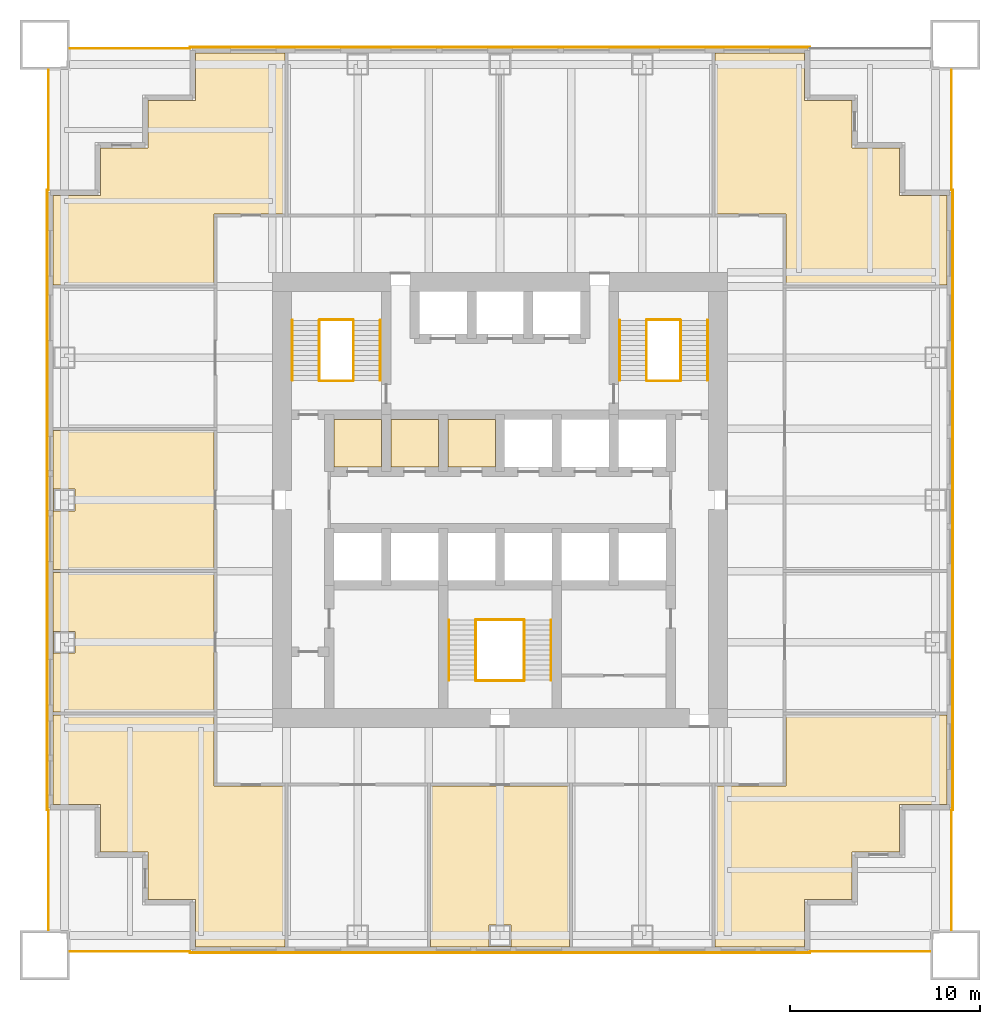
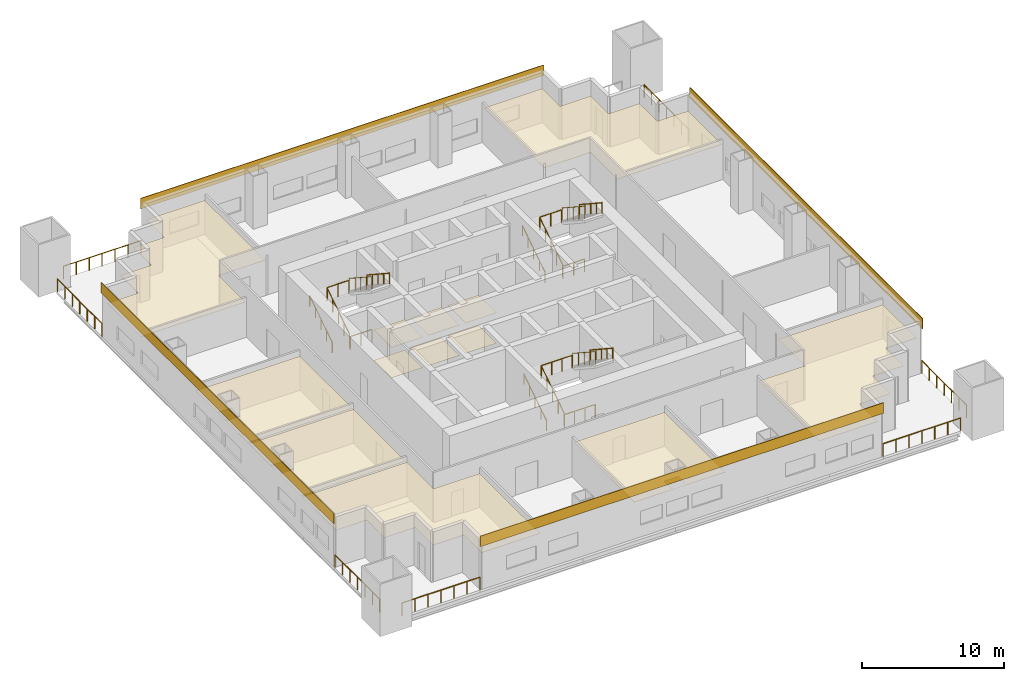
# One storey, part 6 of 7: 25 railings, 17 coverings.
"""IFC4 building model written with IfcOpenShell, lengths in metres."""

import ifcopenshell
import ifcopenshell.guid

model = None  # the IFC model being written
_history = None  # IfcOwnerHistory: only IFC2X3 demands one
_inside = {}  # id of a spatial element -> (the spatial element, [elements in it])
_under = {}  # id of a project, library or spatial element -> (it, [spatial elements below it])
_declared = {}  # id of a project -> (the project, [libraries it declares])
_typed = {}  # id of a type object -> (the type object, [elements of that type])
_made_of = {}  # id of a material, layer set ... -> (it, [elements and type objects made of it])


def new_model(schema):
    """Start an empty IFC model of exactly this schema.

    Asked for "IFC4X3", IfcOpenShell would pick the latest addendum, in which some entities
    have other attributes; the version numbers below select the first issue.
    IFC2X3 requires an IfcOwnerHistory on every rooted entity: one is made here for all.
    """
    global model, _history
    if schema == "IFC4X3":
        model = ifcopenshell.file(schema_version=(4, 3, 0, 0))
    else:
        model = ifcopenshell.file(schema=schema)
    _inside.clear()
    _under.clear()
    _declared.clear()
    _typed.clear()
    _made_of.clear()
    _history = None
    if model.schema == "IFC2X3":
        org = make("IfcOrganization", Name="unknown")
        user = make(
            "IfcPersonAndOrganization",
            ThePerson=make("IfcPerson", FamilyName="unknown"),
            TheOrganization=org,
        )
        app = make(
            "IfcApplication",
            ApplicationDeveloper=org,
            Version="unknown",
            ApplicationFullName="unknown",
            ApplicationIdentifier="unknown",
        )
        _history = make(
            "IfcOwnerHistory",
            OwningUser=user,
            OwningApplication=app,
            ChangeAction="ADDED",
            CreationDate=0,
        )
    return model


def make(cls, **values):
    """One entity of the class cls with the attributes given. An attribute that is None is left unset."""
    return model.create_entity(
        cls, **{name: value for name, value in values.items() if value is not None}
    )


def rooted(cls, **values):
    """An entity with a GlobalId (a new one), such as an element, a storey or a relation."""
    return make(cls, GlobalId=ifcopenshell.guid.new(), OwnerHistory=_history, **values)


def si_unit(unit_type, name, prefix=None):
    """IfcSIUnit, for example si_unit("LENGTHUNIT", "METRE", prefix="MILLI")."""
    return make("IfcSIUnit", UnitType=unit_type, Prefix=prefix, Name=name)


def assignment(units):
    """IfcUnitAssignment: the units of a project."""
    return None if units is None else make("IfcUnitAssignment", Units=units)


def point(xyz):
    """IfcCartesianPoint."""
    return None if xyz is None else make("IfcCartesianPoint", Coordinates=xyz)


def direction(xyz):
    """IfcDirection."""
    return None if xyz is None else make("IfcDirection", DirectionRatios=xyz)


def frame(location, z_axis=None, x_axis=None):
    """IfcAxis2Placement3D, a coordinate frame: its origin and axes. An axis left out is left unset."""
    return make(
        "IfcAxis2Placement3D",
        Location=point(location),
        Axis=direction(z_axis),
        RefDirection=direction(x_axis),
    )


def frame_2d(location, x_axis=None):
    """IfcAxis2Placement2D, a coordinate frame in the plane: its origin and x axis."""
    return make(
        "IfcAxis2Placement2D", Location=point(location), RefDirection=direction(x_axis)
    )


def origin():
    """The frame at (0, 0, 0) with its axes left unset."""
    return frame((0.0, 0.0, 0.0))


def origin_2d():
    """The frame at (0, 0) in the plane with its x axis left unset."""
    return frame_2d((0.0, 0.0))


def place(relative_to, where):
    """IfcLocalPlacement: puts the frame where relative to a parent placement (None: the world)."""
    return make(
        "IfcLocalPlacement", PlacementRelTo=relative_to, RelativePlacement=where
    )


def context(
    kind, dimensions, precision=None, world=None, true_north=None, identifier=None
):
    """IfcGeometricRepresentationContext, for example the 3D "Model" context."""
    return make(
        "IfcGeometricRepresentationContext",
        ContextIdentifier=identifier,
        ContextType=kind,
        CoordinateSpaceDimension=dimensions,
        Precision=precision,
        WorldCoordinateSystem=world,
        TrueNorth=true_north,
    )


def subcontext(parent, identifier, kind, view, scale=None):
    """IfcGeometricRepresentationSubContext, for example "Body" below "Model"."""
    return make(
        "IfcGeometricRepresentationSubContext",
        ContextIdentifier=identifier,
        ContextType=kind,
        ParentContext=parent,
        TargetScale=scale,
        TargetView=view,
    )


def project(units=None, contexts=None):
    """IfcProject with its units and contexts."""
    return rooted(
        "IfcProject",
        Name="project",
        RepresentationContexts=contexts,
        UnitsInContext=assignment(units),
    )


def spatial(cls, under=None, at=None, **own):
    """A site, building, storey or space (cls), placed at a placement, below another one or the project."""
    s = rooted(cls, ObjectPlacement=at, **own)
    if under is not None:
        _under.setdefault(under.id(), (under, []))[1].append(s)
    return s


def polyline(points):
    """IfcPolyline through the points."""
    return make("IfcPolyline", Points=[point(p) for p in points])


def profile(cls, at=None, kind="AREA", **sizes):
    """A parametric profile (cls). Its sizes go by their IFC names, for example OverallWidth=200.0."""
    return make(cls, ProfileType=kind, Position=at, **sizes)


def rectangle(**sizes):
    """IfcRectangleProfileDef."""
    return profile("IfcRectangleProfileDef", **sizes)


def circle(**sizes):
    """IfcCircleProfileDef."""
    return profile("IfcCircleProfileDef", **sizes)


def outline(outer, holes=None, kind="AREA"):
    """IfcArbitraryClosedProfileDef: a profile drawn as a closed curve; with holes, ...WithVoids."""
    if holes is None:
        return make("IfcArbitraryClosedProfileDef", ProfileType=kind, OuterCurve=outer)
    return make(
        "IfcArbitraryProfileDefWithVoids",
        ProfileType=kind,
        OuterCurve=outer,
        InnerCurves=holes,
    )


def extrude(swept, where, along, depth):
    """IfcExtrudedAreaSolid: the profile swept, set in the frame where, extruded along a direction by depth."""
    return make(
        "IfcExtrudedAreaSolid",
        SweptArea=swept,
        Position=where,
        ExtrudedDirection=direction(along),
        Depth=depth,
    )


def shape(context_of_items, identifier, shape_type, items):
    """IfcShapeRepresentation: the items that make up one representation, for example the "Body"."""
    return make(
        "IfcShapeRepresentation",
        ContextOfItems=context_of_items,
        RepresentationIdentifier=identifier,
        RepresentationType=shape_type,
        Items=items,
    )


def material(Name=None, Category=None):
    """IfcMaterial."""
    return make("IfcMaterial", Name=Name, Category=Category)


def layer(
    of_material, thickness, ventilated=None, Name=None, Category=None, Priority=None
):
    """IfcMaterialLayer: one layer of a wall or slab, of a material (None: an air gap)."""
    return make(
        "IfcMaterialLayer",
        Material=of_material,
        LayerThickness=thickness,
        IsVentilated=ventilated,
        Name=Name,
        Category=Category,
        Priority=Priority,
    )


def layer_set(layers, Name=None):
    """IfcMaterialLayerSet."""
    return make("IfcMaterialLayerSet", MaterialLayers=layers, LayerSetName=Name)


def made_of(thing, what):
    """Note that an element or type object is made of a material, layer set ...; save() writes the relation."""
    if what is not None:
        _made_of.setdefault(what.id(), (what, []))[1].append(thing)
    return thing


def type_object(cls, material=None, **own):
    """A type object (cls), such as IfcWallType, which elements share."""
    return made_of(rooted(cls, **own), material)


def element(
    cls,
    number,
    at=None,
    inside=None,
    cuts=None,
    type_object=None,
    material=None,
    context=None,
    identifier="Body",
    shape_type=None,
    held_by="IfcProductDefinitionShape",
    body=None,
    shapes=None,
    **own,
):
    """One element of the class cls, such as IfcWall. Its Tag is "e" and its number.

    at: its placement. inside: the storey or other place that contains it. cuts: it is an
    opening in that element (IfcRelVoidsElement). A single representation is given by context,
    identifier, shape_type and body (its items); several are given by shapes. held_by: the class
    of the entity that holds the representations. save() writes the other relations.
    """
    e = rooted(cls, Tag="e%d" % number, ObjectPlacement=at, **own)
    if body is not None:
        shapes = [shape(context, identifier, shape_type, body)]
    if shapes is not None:
        e.Representation = make(held_by, Representations=shapes)
    if inside is not None:
        _inside.setdefault(inside.id(), (inside, []))[1].append(e)
    if cuts is not None:
        rooted(
            "IfcRelVoidsElement", RelatingBuildingElement=cuts, RelatedOpeningElement=e
        )
    if type_object is not None:
        _typed.setdefault(type_object.id(), (type_object, []))[1].append(e)
    return made_of(e, material)


def aggregate(whole, parts):
    """IfcRelAggregates: a whole, such as a stair, and the parts it consists of."""
    return rooted("IfcRelAggregates", RelatingObject=whole, RelatedObjects=parts)


def save(model, path):
    """Write the relations noted so far, then the file.

    IfcRelAggregates (storeys below a building ...), IfcRelContainedInSpatialStructure (elements
    in a storey), IfcRelDefinesByType, IfcRelAssociatesMaterial and IfcRelDeclares: one each for
    every whole, place, type object, material and project.
    """
    for whole, parts in _under.values():
        aggregate(whole, parts)
    for where, things in _inside.values():
        rooted(
            "IfcRelContainedInSpatialStructure",
            RelatedElements=things,
            RelatingStructure=where,
        )
    for kind, things in _typed.values():
        rooted("IfcRelDefinesByType", RelatedObjects=things, RelatingType=kind)
    for what, things in _made_of.values():
        rooted("IfcRelAssociatesMaterial", RelatedObjects=things, RelatingMaterial=what)
    for by, libraries in _declared.values():
        rooted("IfcRelDeclares", RelatingContext=by, RelatedDefinitions=libraries)
    model.write(path)


model = new_model("IFC4")

# Units and contexts
model_context = context("Model", 3, precision=1e-05, world=origin(), true_north=direction((0.0, 1.0)))
body_context = subcontext(model_context, "Body", "Model", "MODEL_VIEW")
ifc_project = project(units=[si_unit("LENGTHUNIT", "METRE"), si_unit("AREAUNIT", "SQUARE_METRE"), si_unit("VOLUMEUNIT", "CUBIC_METRE"), si_unit("PLANEANGLEUNIT", "RADIAN"), si_unit("MASSUNIT", "GRAM", prefix="KILO")], contexts=[model_context])

# Site, building, storey
site_placement = place(None, origin())
site = spatial("IfcSite", under=ifc_project, at=site_placement, CompositionType="ELEMENT")
building_placement = place(site_placement, origin())
building = spatial("IfcBuilding", under=site, at=building_placement, Name="Tarangal Relay Tower", CompositionType="ELEMENT")
storey_placement = place(building_placement, frame((0.0, 0.0, 158.39990234375)))
storey = spatial("IfcBuildingStorey", under=building, at=storey_placement, Name="L32", CompositionType="ELEMENT", Elevation=158.39990234375)

# Coverings
ifc_material_1 = material(Name="Anti-static vinyl flooring", Category="plastic")
ifc_layer_1 = layer(ifc_material_1, 0.010009765625)
ifc_layer_set_1 = layer_set([ifc_layer_1], Name="Anti-static vinyl floor")
covering_type_1 = type_object("IfcCoveringType", Name="Anti-static vinyl floor", PredefinedType="FLOORING", material=ifc_layer_set_1)
covering_1_placement = place(storey_placement, origin())
element("IfcCovering", 1, at=covering_1_placement, inside=storey, type_object=covering_type_1, Name="Floor finish FL1 L32-D1", PredefinedType="FLOORING", context=body_context, shape_type="SweptSolid", body=[
    extrude(outline(polyline([(-8.75, 1.75), (-6.25, 1.75), (-6.25, 4.25), (-8.75, 4.25), (-8.75, 1.75)])), origin(), (0.0, 0.0, 1.0), 0.010009765625),
])
covering_2_placement = place(storey_placement, origin())
element("IfcCovering", 2, at=covering_2_placement, inside=storey, type_object=covering_type_1, Name="Floor finish FL1 L32-D2", PredefinedType="FLOORING", context=body_context, shape_type="SweptSolid", body=[
    extrude(outline(polyline([(-5.75, 1.75), (-3.25, 1.75), (-3.25, 4.25), (-5.75, 4.25), (-5.75, 1.75)])), origin(), (0.0, 0.0, 1.0), 0.010009765625),
])
covering_3_placement = place(storey_placement, origin())
element("IfcCovering", 3, at=covering_3_placement, inside=storey, type_object=covering_type_1, Name="Floor finish FL1 L32-D3", PredefinedType="FLOORING", context=body_context, shape_type="SweptSolid", body=[
    extrude(outline(polyline([(-2.75, 1.75), (-0.25, 1.75), (-0.25, 4.25), (-2.75, 4.25), (-2.75, 1.75)])), origin(), (0.0, 0.0, 1.0), 0.010009765625),
])
ifc_material_2 = material(Name="Black anodised aluminium cladding", Category="aluminium")
ifc_layer_2 = layer(ifc_material_2, 0.050048828125)
ifc_layer_set_2 = layer_set([ifc_layer_2], Name="Black metal spandrel band")
covering_type_2 = type_object("IfcCoveringType", Name="Black metal spandrel band", PredefinedType="CLADDING", material=ifc_layer_set_2)
for number, where, z_axis, x_axis, name in (
    (4, (0.0, 23.875, 3.750244140625), (0.0, 0.0, 1.0), (1.0, 0.0, 0.0), "Spandrel band SB1 N L32"),
    (5, (23.875, 0.0, 3.750244140625), (0.0, 0.0, 1.0), (0.0, -1.0, 0.0), "Spandrel band SB1 E L32"),
    (6, (0.0, -23.875, 3.750244140625), (0.0, 0.0, 1.0), (-1.0, 0.0, 0.0), "Spandrel band SB1 S L32"),
    (7, (-23.875, 0.0, 3.750244140625), (0.0, 0.0, 1.0), (0.0, 1.0, 0.0), "Spandrel band SB1 W L32"),
):
    element("IfcCovering", number, at=place(storey_placement, frame(where, z_axis=z_axis, x_axis=x_axis)), inside=storey, type_object=covering_type_2, Name=name, PredefinedType="CLADDING", context=body_context, shape_type="SweptSolid", body=[
        extrude(rectangle(XDim=32.699951171875, YDim=0.050048828125, at=origin_2d()), origin(), (0.0, 0.0, 1.0), 0.89990234375),
    ])

# Railings
ifc_material_3 = material(Name="Steel guard, black finish", Category="steel")
railing_type_1 = type_object("IfcRailingType", Name="Stair guard 1100", PredefinedType="GUARDRAIL", material=ifc_material_3)
railing_1_placement = place(storey_placement, frame((-9.530029296875, 6.300048828125, 0.173095703125)))
element("IfcRailing", 8, at=railing_1_placement, inside=storey, type_object=railing_type_1, Name="Stair ST-A guard GR1 L32 flight 1", PredefinedType="GUARDRAIL", context=body_context, shape_type="SweptSolid", body=[
    extrude(circle(Radius=0.02392578125, at=origin_2d()), frame((0.0, 0.0, 1.076171875), z_axis=(0.0, 0.83629911093, 0.548273469226), x_axis=(-1.0, 0.0, 0.0)), (0.0, 0.0, 1.0), 3.7880859375),
    extrude(circle(Radius=0.02099609375, at=origin_2d()), origin(), (0.0, 0.0, 1.0), 1.052001953125),
    extrude(circle(Radius=0.02099609375, at=origin_2d()), frame((0.0, 0.7919921875, 0.519287109375)), (0.0, 0.0, 1.0), 1.052001953125),
    extrude(circle(Radius=0.02099609375, at=origin_2d()), frame((0.0, 1.583984375, 1.03857421875)), (0.0, 0.0, 1.0), 1.052001953125),
    extrude(circle(Radius=0.02099609375, at=origin_2d()), frame((0.0, 2.3759765625, 1.5576171875)), (0.0, 0.0, 1.0), 1.052001953125),
    extrude(circle(Radius=0.02099609375, at=origin_2d()), frame((0.0, 3.16796875, 2.076904296875)), (0.0, 0.0, 1.0), 1.052001953125),
])
railing_2_placement = place(storey_placement, frame((-7.719970703125, 9.468017578125, 2.423095703125)))
element("IfcRailing", 9, at=railing_2_placement, inside=storey, type_object=railing_type_1, Name="Stair ST-A guard GR1 L32 flight 2", PredefinedType="GUARDRAIL", context=body_context, shape_type="SweptSolid", body=[
    extrude(circle(Radius=0.02392578125, at=origin_2d()), frame((0.0, 0.0, 1.076171875), z_axis=(0.0, -0.83629911093, 0.548273469226), x_axis=(1.0, 0.0, 0.0)), (0.0, 0.0, 1.0), 3.7880859375),
    extrude(circle(Radius=0.02099609375, at=origin_2d()), origin(), (0.0, 0.0, 1.0), 1.052001953125),
    extrude(circle(Radius=0.02099609375, at=origin_2d()), frame((0.0, -0.7919921875, 0.519287109375)), (0.0, 0.0, 1.0), 1.052001953125),
    extrude(circle(Radius=0.02099609375, at=origin_2d()), frame((0.0, -1.583984375, 1.03857421875)), (0.0, 0.0, 1.0), 1.052001953125),
    extrude(circle(Radius=0.02099609375, at=origin_2d()), frame((0.0, -2.3759765625, 1.5576171875)), (0.0, 0.0, 1.0), 1.052001953125),
    extrude(circle(Radius=0.02099609375, at=origin_2d()), frame((0.0, -3.16796875, 2.076904296875)), (0.0, 0.0, 1.0), 1.052001953125),
])
for number, where, name in (
    (10, (-9.5, 6.27001953125, 0.0), "Stair ST-A landing guard GR1 L32"),
    (11, (-9.5, 9.498046875, 2.25), "Stair ST-A landing guard GR1 L32"),
):
    element("IfcRailing", number, at=place(storey_placement, frame(where)), inside=storey, type_object=railing_type_1, Name=name, PredefinedType="GUARDRAIL", context=body_context, shape_type="SweptSolid", body=[
        extrude(circle(Radius=0.02392578125, at=origin_2d()), frame((0.0, 0.0, 1.076171875), z_axis=(1.0, 0.0, 0.0), x_axis=(0.0, 1.0, 0.0)), (0.0, 0.0, 1.0), 1.75),
        extrude(circle(Radius=0.02099609375, at=origin_2d()), origin(), (0.0, 0.0, 1.0), 1.052001953125),
        extrude(circle(Radius=0.02099609375, at=origin_2d()), frame((0.875, 0.0, 0.0)), (0.0, 0.0, 1.0), 1.052001953125),
        extrude(circle(Radius=0.02099609375, at=origin_2d()), frame((1.75, 0.0, 0.0)), (0.0, 0.0, 1.0), 1.052001953125),
    ])
railing_3_placement = place(storey_placement, frame((7.719970703125, 6.300048828125, 0.173095703125)))
element("IfcRailing", 12, at=railing_3_placement, inside=storey, type_object=railing_type_1, Name="Stair ST-B guard GR1 L32 flight 1", PredefinedType="GUARDRAIL", context=body_context, shape_type="SweptSolid", body=[
    extrude(circle(Radius=0.02392578125, at=origin_2d()), frame((0.0, 0.0, 1.076171875), z_axis=(0.0, 0.83629911093, 0.548273469226), x_axis=(-1.0, 0.0, 0.0)), (0.0, 0.0, 1.0), 3.7880859375),
    extrude(circle(Radius=0.02099609375, at=origin_2d()), origin(), (0.0, 0.0, 1.0), 1.052001953125),
    extrude(circle(Radius=0.02099609375, at=origin_2d()), frame((0.0, 0.7919921875, 0.519287109375)), (0.0, 0.0, 1.0), 1.052001953125),
    extrude(circle(Radius=0.02099609375, at=origin_2d()), frame((0.0, 1.583984375, 1.03857421875)), (0.0, 0.0, 1.0), 1.052001953125),
    extrude(circle(Radius=0.02099609375, at=origin_2d()), frame((0.0, 2.3759765625, 1.5576171875)), (0.0, 0.0, 1.0), 1.052001953125),
    extrude(circle(Radius=0.02099609375, at=origin_2d()), frame((0.0, 3.16796875, 2.076904296875)), (0.0, 0.0, 1.0), 1.052001953125),
])
railing_4_placement = place(storey_placement, frame((9.530029296875, 9.468017578125, 2.423095703125)))
element("IfcRailing", 13, at=railing_4_placement, inside=storey, type_object=railing_type_1, Name="Stair ST-B guard GR1 L32 flight 2", PredefinedType="GUARDRAIL", context=body_context, shape_type="SweptSolid", body=[
    extrude(circle(Radius=0.02392578125, at=origin_2d()), frame((0.0, 0.0, 1.076171875), z_axis=(0.0, -0.83629911093, 0.548273469226), x_axis=(1.0, 0.0, 0.0)), (0.0, 0.0, 1.0), 3.7880859375),
    extrude(circle(Radius=0.02099609375, at=origin_2d()), origin(), (0.0, 0.0, 1.0), 1.052001953125),
    extrude(circle(Radius=0.02099609375, at=origin_2d()), frame((0.0, -0.7919921875, 0.519287109375)), (0.0, 0.0, 1.0), 1.052001953125),
    extrude(circle(Radius=0.02099609375, at=origin_2d()), frame((0.0, -1.583984375, 1.03857421875)), (0.0, 0.0, 1.0), 1.052001953125),
    extrude(circle(Radius=0.02099609375, at=origin_2d()), frame((0.0, -2.3759765625, 1.5576171875)), (0.0, 0.0, 1.0), 1.052001953125),
    extrude(circle(Radius=0.02099609375, at=origin_2d()), frame((0.0, -3.16796875, 2.076904296875)), (0.0, 0.0, 1.0), 1.052001953125),
])
for number, where, name in (
    (14, (7.75, 6.27001953125, 0.0), "Stair ST-B landing guard GR1 L32"),
    (15, (7.75, 9.498046875, 2.25), "Stair ST-B landing guard GR1 L32"),
):
    element("IfcRailing", number, at=place(storey_placement, frame(where)), inside=storey, type_object=railing_type_1, Name=name, PredefinedType="GUARDRAIL", context=body_context, shape_type="SweptSolid", body=[
        extrude(circle(Radius=0.02392578125, at=origin_2d()), frame((0.0, 0.0, 1.076171875), z_axis=(1.0, 0.0, 0.0), x_axis=(0.0, 1.0, 0.0)), (0.0, 0.0, 1.0), 1.75),
        extrude(circle(Radius=0.02099609375, at=origin_2d()), origin(), (0.0, 0.0, 1.0), 1.052001953125),
        extrude(circle(Radius=0.02099609375, at=origin_2d()), frame((0.875, 0.0, 0.0)), (0.0, 0.0, 1.0), 1.052001953125),
        extrude(circle(Radius=0.02099609375, at=origin_2d()), frame((1.75, 0.0, 0.0)), (0.0, 0.0, 1.0), 1.052001953125),
    ])
railing_5_placement = place(storey_placement, frame((-1.280029296875, -9.5, 0.173095703125)))
element("IfcRailing", 16, at=railing_5_placement, inside=storey, type_object=railing_type_1, Name="Stair ST-C guard GR1 L32 flight 1", PredefinedType="GUARDRAIL", context=body_context, shape_type="SweptSolid", body=[
    extrude(circle(Radius=0.02392578125, at=origin_2d()), frame((0.0, 0.0, 1.076171875), z_axis=(0.0, 0.83629911093, 0.548273469226), x_axis=(-1.0, 0.0, 0.0)), (0.0, 0.0, 1.0), 3.7880859375),
    extrude(circle(Radius=0.02099609375, at=origin_2d()), origin(), (0.0, 0.0, 1.0), 1.052001953125),
    extrude(circle(Radius=0.02099609375, at=origin_2d()), frame((0.0, 0.7919921875, 0.519287109375)), (0.0, 0.0, 1.0), 1.052001953125),
    extrude(circle(Radius=0.02099609375, at=origin_2d()), frame((0.0, 1.583984375, 1.03857421875)), (0.0, 0.0, 1.0), 1.052001953125),
    extrude(circle(Radius=0.02099609375, at=origin_2d()), frame((0.0, 2.3759765625, 1.5576171875)), (0.0, 0.0, 1.0), 1.052001953125),
    extrude(circle(Radius=0.02099609375, at=origin_2d()), frame((0.0, 3.16796875, 2.076904296875)), (0.0, 0.0, 1.0), 1.052001953125),
])
railing_6_placement = place(storey_placement, frame((1.280029296875, -6.33203125, 2.423095703125)))
element("IfcRailing", 17, at=railing_6_placement, inside=storey, type_object=railing_type_1, Name="Stair ST-C guard GR1 L32 flight 2", PredefinedType="GUARDRAIL", context=body_context, shape_type="SweptSolid", body=[
    extrude(circle(Radius=0.02392578125, at=origin_2d()), frame((0.0, 0.0, 1.076171875), z_axis=(0.0, -0.83629911093, 0.548273469226), x_axis=(1.0, 0.0, 0.0)), (0.0, 0.0, 1.0), 3.7880859375),
    extrude(circle(Radius=0.02099609375, at=origin_2d()), origin(), (0.0, 0.0, 1.0), 1.052001953125),
    extrude(circle(Radius=0.02099609375, at=origin_2d()), frame((0.0, -0.7919921875, 0.519287109375)), (0.0, 0.0, 1.0), 1.052001953125),
    extrude(circle(Radius=0.02099609375, at=origin_2d()), frame((0.0, -1.583984375, 1.03857421875)), (0.0, 0.0, 1.0), 1.052001953125),
    extrude(circle(Radius=0.02099609375, at=origin_2d()), frame((0.0, -2.3759765625, 1.5576171875)), (0.0, 0.0, 1.0), 1.052001953125),
    extrude(circle(Radius=0.02099609375, at=origin_2d()), frame((0.0, -3.16796875, 2.076904296875)), (0.0, 0.0, 1.0), 1.052001953125),
])
for number, where, name in (
    (18, (-1.25, -9.530029296875, 0.0), "Stair ST-C landing guard GR1 L32"),
    (19, (-1.25, -6.302001953125, 2.25), "Stair ST-C landing guard GR1 L32"),
):
    element("IfcRailing", number, at=place(storey_placement, frame(where)), inside=storey, type_object=railing_type_1, Name=name, PredefinedType="GUARDRAIL", context=body_context, shape_type="SweptSolid", body=[
        extrude(circle(Radius=0.02392578125, at=origin_2d()), frame((0.0, 0.0, 1.076171875), z_axis=(1.0, 0.0, 0.0), x_axis=(0.0, 1.0, 0.0)), (0.0, 0.0, 1.0), 2.5),
        extrude(circle(Radius=0.02099609375, at=origin_2d()), origin(), (0.0, 0.0, 1.0), 1.052001953125),
        extrude(circle(Radius=0.02099609375, at=origin_2d()), frame((0.833251953125, 0.0, 0.0)), (0.0, 0.0, 1.0), 1.052001953125),
        extrude(circle(Radius=0.02099609375, at=origin_2d()), frame((1.666748046875, 0.0, 0.0)), (0.0, 0.0, 1.0), 1.052001953125),
        extrude(circle(Radius=0.02099609375, at=origin_2d()), frame((2.5, 0.0, 0.0)), (0.0, 0.0, 1.0), 1.052001953125),
    ])
ifc_material_4 = material(Name="Steel handrail, black finish", Category="steel")
railing_type_2 = type_object("IfcRailingType", Name="Stair handrail 900", PredefinedType="HANDRAIL", material=ifc_material_4)
railing_7_placement = place(storey_placement, frame((-10.93994140625, 6.300048828125, 0.173095703125)))
element("IfcRailing", 20, at=railing_7_placement, inside=storey, type_object=railing_type_2, Name="Stair ST-A handrail HR1 L32 flight 1", PredefinedType="HANDRAIL", context=body_context, shape_type="SweptSolid", body=[
    extrude(circle(Radius=0.02392578125, at=origin_2d()), frame((0.0, 0.0, 0.8759765625), z_axis=(0.0, 0.83629911093, 0.548273469226), x_axis=(-1.0, 0.0, 0.0)), (0.0, 0.0, 1.0), 3.7880859375),
    extrude(circle(Radius=0.02099609375, at=origin_2d()), origin(), (0.0, 0.0, 1.0), 0.851806640625),
    extrude(circle(Radius=0.02099609375, at=origin_2d()), frame((0.0, 0.7919921875, 0.519287109375)), (0.0, 0.0, 1.0), 0.851806640625),
    extrude(circle(Radius=0.02099609375, at=origin_2d()), frame((0.0, 1.583984375, 1.03857421875)), (0.0, 0.0, 1.0), 0.851806640625),
    extrude(circle(Radius=0.02099609375, at=origin_2d()), frame((0.0, 2.3759765625, 1.5576171875)), (0.0, 0.0, 1.0), 0.851806640625),
    extrude(circle(Radius=0.02099609375, at=origin_2d()), frame((0.0, 3.16796875, 2.076904296875)), (0.0, 0.0, 1.0), 0.851806640625),
])
railing_8_placement = place(storey_placement, frame((-6.31005859375, 9.468017578125, 2.423095703125)))
element("IfcRailing", 21, at=railing_8_placement, inside=storey, type_object=railing_type_2, Name="Stair ST-A handrail HR1 L32 flight 2", PredefinedType="HANDRAIL", context=body_context, shape_type="SweptSolid", body=[
    extrude(circle(Radius=0.02392578125, at=origin_2d()), frame((0.0, 0.0, 0.8759765625), z_axis=(0.0, -0.83629911093, 0.548273469226), x_axis=(1.0, 0.0, 0.0)), (0.0, 0.0, 1.0), 3.7880859375),
    extrude(circle(Radius=0.02099609375, at=origin_2d()), origin(), (0.0, 0.0, 1.0), 0.851806640625),
    extrude(circle(Radius=0.02099609375, at=origin_2d()), frame((0.0, -0.7919921875, 0.519287109375)), (0.0, 0.0, 1.0), 0.851806640625),
    extrude(circle(Radius=0.02099609375, at=origin_2d()), frame((0.0, -1.583984375, 1.03857421875)), (0.0, 0.0, 1.0), 0.851806640625),
    extrude(circle(Radius=0.02099609375, at=origin_2d()), frame((0.0, -2.3759765625, 1.5576171875)), (0.0, 0.0, 1.0), 0.851806640625),
    extrude(circle(Radius=0.02099609375, at=origin_2d()), frame((0.0, -3.16796875, 2.076904296875)), (0.0, 0.0, 1.0), 0.851806640625),
])
railing_9_placement = place(storey_placement, frame((6.31005859375, 6.300048828125, 0.173095703125)))
element("IfcRailing", 22, at=railing_9_placement, inside=storey, type_object=railing_type_2, Name="Stair ST-B handrail HR1 L32 flight 1", PredefinedType="HANDRAIL", context=body_context, shape_type="SweptSolid", body=[
    extrude(circle(Radius=0.02392578125, at=origin_2d()), frame((0.0, 0.0, 0.8759765625), z_axis=(0.0, 0.83629911093, 0.548273469226), x_axis=(-1.0, 0.0, 0.0)), (0.0, 0.0, 1.0), 3.7880859375),
    extrude(circle(Radius=0.02099609375, at=origin_2d()), origin(), (0.0, 0.0, 1.0), 0.851806640625),
    extrude(circle(Radius=0.02099609375, at=origin_2d()), frame((0.0, 0.7919921875, 0.519287109375)), (0.0, 0.0, 1.0), 0.851806640625),
    extrude(circle(Radius=0.02099609375, at=origin_2d()), frame((0.0, 1.583984375, 1.03857421875)), (0.0, 0.0, 1.0), 0.851806640625),
    extrude(circle(Radius=0.02099609375, at=origin_2d()), frame((0.0, 2.3759765625, 1.5576171875)), (0.0, 0.0, 1.0), 0.851806640625),
    extrude(circle(Radius=0.02099609375, at=origin_2d()), frame((0.0, 3.16796875, 2.076904296875)), (0.0, 0.0, 1.0), 0.851806640625),
])
railing_10_placement = place(storey_placement, frame((10.93994140625, 9.468017578125, 2.423095703125)))
element("IfcRailing", 23, at=railing_10_placement, inside=storey, type_object=railing_type_2, Name="Stair ST-B handrail HR1 L32 flight 2", PredefinedType="HANDRAIL", context=body_context, shape_type="SweptSolid", body=[
    extrude(circle(Radius=0.02392578125, at=origin_2d()), frame((0.0, 0.0, 0.8759765625), z_axis=(0.0, -0.83629911093, 0.548273469226), x_axis=(1.0, 0.0, 0.0)), (0.0, 0.0, 1.0), 3.7880859375),
    extrude(circle(Radius=0.02099609375, at=origin_2d()), origin(), (0.0, 0.0, 1.0), 0.851806640625),
    extrude(circle(Radius=0.02099609375, at=origin_2d()), frame((0.0, -0.7919921875, 0.519287109375)), (0.0, 0.0, 1.0), 0.851806640625),
    extrude(circle(Radius=0.02099609375, at=origin_2d()), frame((0.0, -1.583984375, 1.03857421875)), (0.0, 0.0, 1.0), 0.851806640625),
    extrude(circle(Radius=0.02099609375, at=origin_2d()), frame((0.0, -2.3759765625, 1.5576171875)), (0.0, 0.0, 1.0), 0.851806640625),
    extrude(circle(Radius=0.02099609375, at=origin_2d()), frame((0.0, -3.16796875, 2.076904296875)), (0.0, 0.0, 1.0), 0.851806640625),
])
railing_11_placement = place(storey_placement, frame((-2.68994140625, -9.5, 0.173095703125)))
element("IfcRailing", 24, at=railing_11_placement, inside=storey, type_object=railing_type_2, Name="Stair ST-C handrail HR1 L32 flight 1", PredefinedType="HANDRAIL", context=body_context, shape_type="SweptSolid", body=[
    extrude(circle(Radius=0.02392578125, at=origin_2d()), frame((0.0, 0.0, 0.8759765625), z_axis=(0.0, 0.83629911093, 0.548273469226), x_axis=(-1.0, 0.0, 0.0)), (0.0, 0.0, 1.0), 3.7880859375),
    extrude(circle(Radius=0.02099609375, at=origin_2d()), origin(), (0.0, 0.0, 1.0), 0.851806640625),
    extrude(circle(Radius=0.02099609375, at=origin_2d()), frame((0.0, 0.7919921875, 0.519287109375)), (0.0, 0.0, 1.0), 0.851806640625),
    extrude(circle(Radius=0.02099609375, at=origin_2d()), frame((0.0, 1.583984375, 1.03857421875)), (0.0, 0.0, 1.0), 0.851806640625),
    extrude(circle(Radius=0.02099609375, at=origin_2d()), frame((0.0, 2.3759765625, 1.5576171875)), (0.0, 0.0, 1.0), 0.851806640625),
    extrude(circle(Radius=0.02099609375, at=origin_2d()), frame((0.0, 3.16796875, 2.076904296875)), (0.0, 0.0, 1.0), 0.851806640625),
])
railing_12_placement = place(storey_placement, frame((2.68994140625, -6.33203125, 2.423095703125)))
element("IfcRailing", 25, at=railing_12_placement, inside=storey, type_object=railing_type_2, Name="Stair ST-C handrail HR1 L32 flight 2", PredefinedType="HANDRAIL", context=body_context, shape_type="SweptSolid", body=[
    extrude(circle(Radius=0.02392578125, at=origin_2d()), frame((0.0, 0.0, 0.8759765625), z_axis=(0.0, -0.83629911093, 0.548273469226), x_axis=(1.0, 0.0, 0.0)), (0.0, 0.0, 1.0), 3.7880859375),
    extrude(circle(Radius=0.02099609375, at=origin_2d()), origin(), (0.0, 0.0, 1.0), 0.851806640625),
    extrude(circle(Radius=0.02099609375, at=origin_2d()), frame((0.0, -0.7919921875, 0.519287109375)), (0.0, 0.0, 1.0), 0.851806640625),
    extrude(circle(Radius=0.02099609375, at=origin_2d()), frame((0.0, -1.583984375, 1.03857421875)), (0.0, 0.0, 1.0), 0.851806640625),
    extrude(circle(Radius=0.02099609375, at=origin_2d()), frame((0.0, -2.3759765625, 1.5576171875)), (0.0, 0.0, 1.0), 0.851806640625),
    extrude(circle(Radius=0.02099609375, at=origin_2d()), frame((0.0, -3.16796875, 2.076904296875)), (0.0, 0.0, 1.0), 0.851806640625),
])

# Coverings
ifc_material_5 = material(Name="Mineral fibre ceiling tiles", Category="gypsum")
ifc_layer_3 = layer(ifc_material_5, 0.02001953125)
ifc_layer_set_3 = layer_set([ifc_layer_3], Name="Suspended ceiling")
covering_type_3 = type_object("IfcCoveringType", Name="Suspended ceiling", PredefinedType="CEILING", material=ifc_layer_set_3)
covering_4_placement = place(storey_placement, frame((0.0, 0.0, 2.60009765625)))
element("IfcCovering", 26, at=covering_4_placement, inside=storey, type_object=covering_type_3, Name="Suspended ceiling CL1 L32-D1", PredefinedType="CEILING", context=body_context, shape_type="SweptSolid", body=[
    extrude(outline(polyline([(-8.75, 1.75), (-6.25, 1.75), (-6.25, 4.25), (-8.75, 4.25), (-8.75, 1.75)])), origin(), (0.0, 0.0, 1.0), 0.02001953125),
])
covering_5_placement = place(storey_placement, frame((0.0, 0.0, 2.60009765625)))
element("IfcCovering", 27, at=covering_5_placement, inside=storey, type_object=covering_type_3, Name="Suspended ceiling CL1 L32-D2", PredefinedType="CEILING", context=body_context, shape_type="SweptSolid", body=[
    extrude(outline(polyline([(-5.75, 1.75), (-3.25, 1.75), (-3.25, 4.25), (-5.75, 4.25), (-5.75, 1.75)])), origin(), (0.0, 0.0, 1.0), 0.02001953125),
])
covering_6_placement = place(storey_placement, frame((0.0, 0.0, 2.60009765625)))
element("IfcCovering", 28, at=covering_6_placement, inside=storey, type_object=covering_type_3, Name="Suspended ceiling CL1 L32-D3", PredefinedType="CEILING", context=body_context, shape_type="SweptSolid", body=[
    extrude(outline(polyline([(-2.75, 1.75), (-0.25, 1.75), (-0.25, 4.25), (-2.75, 4.25), (-2.75, 1.75)])), origin(), (0.0, 0.0, 1.0), 0.02001953125),
])
covering_7_placement = place(storey_placement, frame((0.0, 0.0, 2.900146484375)))
element("IfcCovering", 29, at=covering_7_placement, inside=storey, type_object=covering_type_3, Name="Suspended ceiling CL1 L32-07", PredefinedType="CEILING", context=body_context, shape_type="SweptSolid", body=[
    extrude(outline(polyline([(-3.675048828125, -23.550048828125), (3.675048828125, -23.550048828125), (3.675048828125, -15.074951171875), (-3.675048828125, -15.074951171875), (-3.675048828125, -23.550048828125)]), holes=[polyline([(0.574951171875, -22.389892578125), (-0.574951171875, -22.389892578125), (-0.574951171875, -23.5400390625), (0.574951171875, -23.5400390625), (0.574951171875, -22.389892578125)])]), origin(), (0.0, 0.0, 1.0), 0.02001953125),
])
covering_8_placement = place(storey_placement, frame((0.0, 0.0, 2.900146484375)))
element("IfcCovering", 30, at=covering_8_placement, inside=storey, type_object=covering_type_3, Name="Suspended ceiling CL1 L32-09", PredefinedType="CEILING", context=body_context, shape_type="SweptSolid", body=[
    extrude(outline(polyline([(-23.550048828125, -3.824951171875), (-23.550048828125, -11.175048828125), (-15.074951171875, -11.175048828125), (-15.074951171875, -3.824951171875), (-23.550048828125, -3.824951171875)]), holes=[polyline([(-22.389892578125, -6.925048828125), (-23.5400390625, -6.925048828125), (-23.5400390625, -8.074951171875), (-22.389892578125, -8.074951171875), (-22.389892578125, -6.925048828125)])]), origin(), (0.0, 0.0, 1.0), 0.02001953125),
])
covering_9_placement = place(storey_placement, frame((0.0, 0.0, 2.900146484375)))
element("IfcCovering", 31, at=covering_9_placement, inside=storey, type_object=covering_type_3, Name="Suspended ceiling CL1 L32-10", PredefinedType="CEILING", context=body_context, shape_type="SweptSolid", body=[
    extrude(outline(polyline([(-23.550048828125, 3.675048828125), (-23.550048828125, -3.675048828125), (-15.074951171875, -3.675048828125), (-15.074951171875, 3.675048828125), (-23.550048828125, 3.675048828125)]), holes=[polyline([(-22.389892578125, 0.574951171875), (-23.5400390625, 0.574951171875), (-23.5400390625, -0.574951171875), (-22.389892578125, -0.574951171875), (-22.389892578125, 0.574951171875)])]), origin(), (0.0, 0.0, 1.0), 0.02001953125),
])
covering_10_placement = place(storey_placement, frame((0.0, 0.0, 2.900146484375)))
element("IfcCovering", 32, at=covering_10_placement, inside=storey, type_object=covering_type_3, Name="Suspended ceiling CL1 L32-12", PredefinedType="CEILING", context=body_context, shape_type="SweptSolid", body=[
    extrude(outline(polyline([(16.050048828125, 23.550048828125), (11.324951171875, 23.550048828125), (11.324951171875, 15.074951171875), (15.074951171875, 15.074951171875), (15.074951171875, 11.324951171875), (23.550048828125, 11.324951171875), (23.550048828125, 16.050048828125), (21.050048828125, 16.050048828125), (21.050048828125, 18.550048828125), (18.550048828125, 18.550048828125), (18.550048828125, 21.050048828125), (16.050048828125, 21.050048828125), (16.050048828125, 23.550048828125)])), origin(), (0.0, 0.0, 1.0), 0.02001953125),
])
covering_11_placement = place(storey_placement, frame((0.0, 0.0, 2.900146484375)))
element("IfcCovering", 33, at=covering_11_placement, inside=storey, type_object=covering_type_3, Name="Suspended ceiling CL1 L32-13", PredefinedType="CEILING", context=body_context, shape_type="SweptSolid", body=[
    extrude(outline(polyline([(23.550048828125, -16.050048828125), (23.550048828125, -11.324951171875), (15.074951171875, -11.324951171875), (15.074951171875, -15.074951171875), (11.324951171875, -15.074951171875), (11.324951171875, -23.550048828125), (16.050048828125, -23.550048828125), (16.050048828125, -21.050048828125), (18.550048828125, -21.050048828125), (18.550048828125, -18.550048828125), (21.050048828125, -18.550048828125), (21.050048828125, -16.050048828125), (23.550048828125, -16.050048828125)])), origin(), (0.0, 0.0, 1.0), 0.02001953125),
])
covering_12_placement = place(storey_placement, frame((0.0, 0.0, 2.900146484375)))
element("IfcCovering", 34, at=covering_12_placement, inside=storey, type_object=covering_type_3, Name="Suspended ceiling CL1 L32-14", PredefinedType="CEILING", context=body_context, shape_type="SweptSolid", body=[
    extrude(outline(polyline([(-16.050048828125, -21.050048828125), (-16.050048828125, -23.550048828125), (-11.324951171875, -23.550048828125), (-11.324951171875, -15.074951171875), (-15.074951171875, -15.074951171875), (-15.074951171875, -11.324951171875), (-23.550048828125, -11.324951171875), (-23.550048828125, -16.050048828125), (-21.050048828125, -16.050048828125), (-21.050048828125, -18.550048828125), (-18.550048828125, -18.550048828125), (-18.550048828125, -21.050048828125), (-16.050048828125, -21.050048828125)])), origin(), (0.0, 0.0, 1.0), 0.02001953125),
])
covering_13_placement = place(storey_placement, frame((0.0, 0.0, 2.900146484375)))
element("IfcCovering", 35, at=covering_13_placement, inside=storey, type_object=covering_type_3, Name="Suspended ceiling CL1 L32-15", PredefinedType="CEILING", context=body_context, shape_type="SweptSolid", body=[
    extrude(outline(polyline([(-21.050048828125, 16.050048828125), (-23.550048828125, 16.050048828125), (-23.550048828125, 11.324951171875), (-15.074951171875, 11.324951171875), (-15.074951171875, 15.074951171875), (-11.324951171875, 15.074951171875), (-11.324951171875, 23.550048828125), (-16.050048828125, 23.550048828125), (-16.050048828125, 21.050048828125), (-18.550048828125, 21.050048828125), (-18.550048828125, 18.550048828125), (-21.050048828125, 18.550048828125), (-21.050048828125, 16.050048828125)])), origin(), (0.0, 0.0, 1.0), 0.02001953125),
])

# Railings
ifc_material_6 = material(Name="Black steel guard with glass infill", Category="steel")
railing_type_3 = type_object("IfcRailingType", Name="Terrace guard 1100", PredefinedType="GUARDRAIL", material=ifc_material_6)
for number, where, name in (
    (36, (23.800048828125, 22.64990234375, 0.0), "Terrace guard GR2 NE L32"),
    (37, (23.800048828125, -16.35009765625, 0.0), "Terrace guard GR2 SE L32"),
):
    element("IfcRailing", number, at=place(storey_placement, frame(where)), inside=storey, type_object=railing_type_3, Name=name, PredefinedType="GUARDRAIL", context=body_context, shape_type="SweptSolid", body=[
        extrude(circle(Radius=0.02392578125, at=origin_2d()), frame((0.0, 0.0, 1.076171875), z_axis=(0.0, -1.0, 0.0), x_axis=(1.0, 0.0, 0.0)), (0.0, 0.0, 1.0), 6.2998046875),
        extrude(circle(Radius=0.02099609375, at=origin_2d()), origin(), (0.0, 0.0, 1.0), 1.052001953125),
        extrude(circle(Radius=0.02099609375, at=origin_2d()), frame((0.0, -1.050048828125, 0.0)), (0.0, 0.0, 1.0), 1.052001953125),
        extrude(circle(Radius=0.02099609375, at=origin_2d()), frame((0.0, -2.099853515625, 0.0)), (0.0, 0.0, 1.0), 1.052001953125),
        extrude(circle(Radius=0.02099609375, at=origin_2d()), frame((0.0, -3.14990234375, 0.0)), (0.0, 0.0, 1.0), 1.052001953125),
        extrude(circle(Radius=0.02099609375, at=origin_2d()), frame((0.0, -4.199951171875, 0.0)), (0.0, 0.0, 1.0), 1.052001953125),
        extrude(circle(Radius=0.02099609375, at=origin_2d()), frame((0.0, -5.249755859375, 0.0)), (0.0, 0.0, 1.0), 1.052001953125),
        extrude(circle(Radius=0.02099609375, at=origin_2d()), frame((0.0, -6.2998046875, 0.0)), (0.0, 0.0, 1.0), 1.052001953125),
    ])
for number, where, name in (
    (38, (22.64990234375, -23.800048828125, 0.0), "Terrace guard GR2 SE L32"),
    (39, (-16.35009765625, -23.800048828125, 0.0), "Terrace guard GR2 SW L32"),
):
    element("IfcRailing", number, at=place(storey_placement, frame(where)), inside=storey, type_object=railing_type_3, Name=name, PredefinedType="GUARDRAIL", context=body_context, shape_type="SweptSolid", body=[
        extrude(circle(Radius=0.02392578125, at=origin_2d()), frame((0.0, 0.0, 1.076171875), z_axis=(-1.0, 0.0, 0.0), x_axis=(0.0, -1.0, 0.0)), (0.0, 0.0, 1.0), 6.2998046875),
        extrude(circle(Radius=0.02099609375, at=origin_2d()), origin(), (0.0, 0.0, 1.0), 1.052001953125),
        extrude(circle(Radius=0.02099609375, at=origin_2d()), frame((-1.050048828125, 0.0, 0.0)), (0.0, 0.0, 1.0), 1.052001953125),
        extrude(circle(Radius=0.02099609375, at=origin_2d()), frame((-2.099853515625, 0.0, 0.0)), (0.0, 0.0, 1.0), 1.052001953125),
        extrude(circle(Radius=0.02099609375, at=origin_2d()), frame((-3.14990234375, 0.0, 0.0)), (0.0, 0.0, 1.0), 1.052001953125),
        extrude(circle(Radius=0.02099609375, at=origin_2d()), frame((-4.199951171875, 0.0, 0.0)), (0.0, 0.0, 1.0), 1.052001953125),
        extrude(circle(Radius=0.02099609375, at=origin_2d()), frame((-5.249755859375, 0.0, 0.0)), (0.0, 0.0, 1.0), 1.052001953125),
        extrude(circle(Radius=0.02099609375, at=origin_2d()), frame((-6.2998046875, 0.0, 0.0)), (0.0, 0.0, 1.0), 1.052001953125),
    ])
for number, where, name in (
    (40, (-23.800048828125, -22.64990234375, 0.0), "Terrace guard GR2 SW L32"),
    (41, (-23.800048828125, 16.35009765625, 0.0), "Terrace guard GR2 NW L32"),
):
    element("IfcRailing", number, at=place(storey_placement, frame(where)), inside=storey, type_object=railing_type_3, Name=name, PredefinedType="GUARDRAIL", context=body_context, shape_type="SweptSolid", body=[
        extrude(circle(Radius=0.02392578125, at=origin_2d()), frame((0.0, 0.0, 1.076171875), z_axis=(0.0, 1.0, 0.0), x_axis=(-1.0, 0.0, 0.0)), (0.0, 0.0, 1.0), 6.2998046875),
        extrude(circle(Radius=0.02099609375, at=origin_2d()), origin(), (0.0, 0.0, 1.0), 1.052001953125),
        extrude(circle(Radius=0.02099609375, at=origin_2d()), frame((0.0, 1.050048828125, 0.0)), (0.0, 0.0, 1.0), 1.052001953125),
        extrude(circle(Radius=0.02099609375, at=origin_2d()), frame((0.0, 2.099853515625, 0.0)), (0.0, 0.0, 1.0), 1.052001953125),
        extrude(circle(Radius=0.02099609375, at=origin_2d()), frame((0.0, 3.14990234375, 0.0)), (0.0, 0.0, 1.0), 1.052001953125),
        extrude(circle(Radius=0.02099609375, at=origin_2d()), frame((0.0, 4.199951171875, 0.0)), (0.0, 0.0, 1.0), 1.052001953125),
        extrude(circle(Radius=0.02099609375, at=origin_2d()), frame((0.0, 5.249755859375, 0.0)), (0.0, 0.0, 1.0), 1.052001953125),
        extrude(circle(Radius=0.02099609375, at=origin_2d()), frame((0.0, 6.2998046875, 0.0)), (0.0, 0.0, 1.0), 1.052001953125),
    ])
railing_13_placement = place(storey_placement, frame((-22.64990234375, 23.800048828125, 0.0)))
element("IfcRailing", 42, at=railing_13_placement, inside=storey, type_object=railing_type_3, Name="Terrace guard GR2 NW L32", PredefinedType="GUARDRAIL", context=body_context, shape_type="SweptSolid", body=[
    extrude(circle(Radius=0.02392578125, at=origin_2d()), frame((0.0, 0.0, 1.076171875), z_axis=(1.0, 0.0, 0.0), x_axis=(0.0, 1.0, 0.0)), (0.0, 0.0, 1.0), 6.2998046875),
    extrude(circle(Radius=0.02099609375, at=origin_2d()), origin(), (0.0, 0.0, 1.0), 1.052001953125),
    extrude(circle(Radius=0.02099609375, at=origin_2d()), frame((1.050048828125, 0.0, 0.0)), (0.0, 0.0, 1.0), 1.052001953125),
    extrude(circle(Radius=0.02099609375, at=origin_2d()), frame((2.099853515625, 0.0, 0.0)), (0.0, 0.0, 1.0), 1.052001953125),
    extrude(circle(Radius=0.02099609375, at=origin_2d()), frame((3.14990234375, 0.0, 0.0)), (0.0, 0.0, 1.0), 1.052001953125),
    extrude(circle(Radius=0.02099609375, at=origin_2d()), frame((4.199951171875, 0.0, 0.0)), (0.0, 0.0, 1.0), 1.052001953125),
    extrude(circle(Radius=0.02099609375, at=origin_2d()), frame((5.249755859375, 0.0, 0.0)), (0.0, 0.0, 1.0), 1.052001953125),
    extrude(circle(Radius=0.02099609375, at=origin_2d()), frame((6.2998046875, 0.0, 0.0)), (0.0, 0.0, 1.0), 1.052001953125),
])

save(model, "model.ifc")
